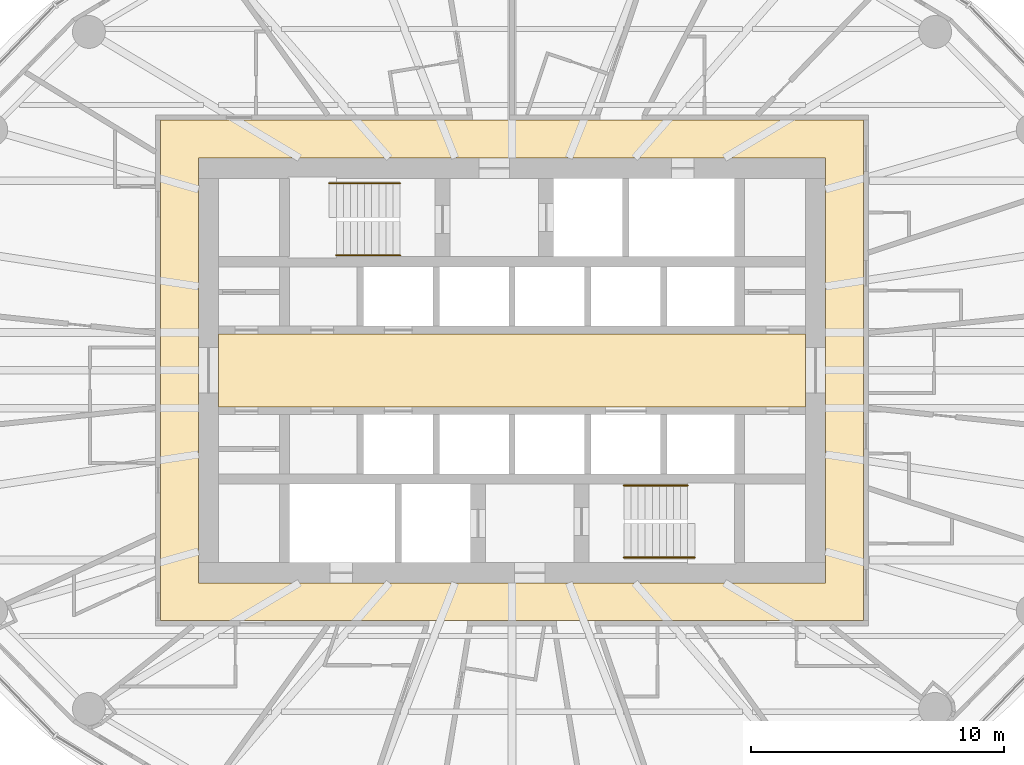
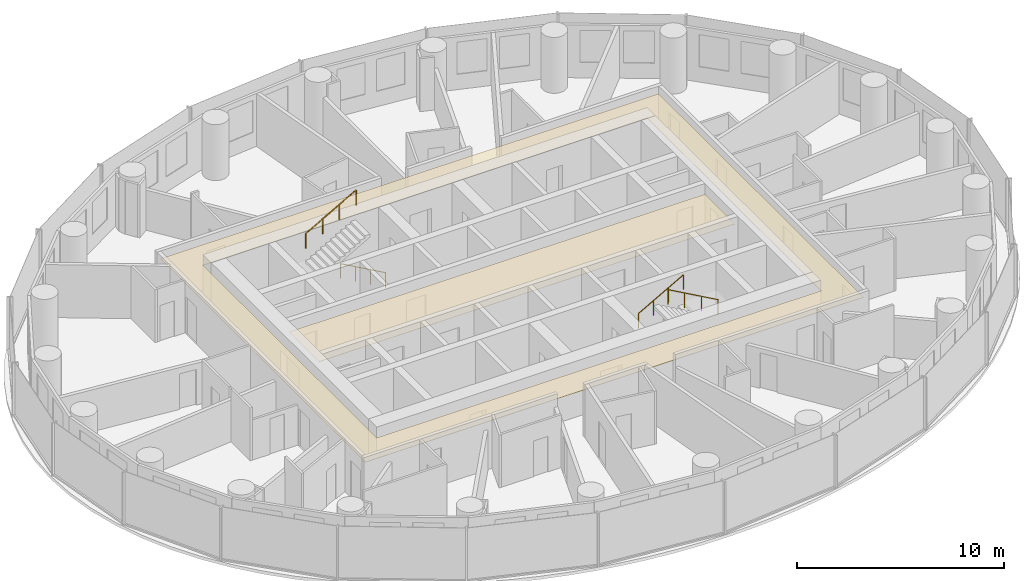
# One storey, part 13 of 13: 4 railings, 2 coverings.
"""IFC4 building model written with IfcOpenShell, lengths in metres."""

import ifcopenshell
import ifcopenshell.guid

model = None  # the IFC model being written
_history = None  # IfcOwnerHistory: only IFC2X3 demands one
_inside = {}  # id of a spatial element -> (the spatial element, [elements in it])
_under = {}  # id of a project, library or spatial element -> (it, [spatial elements below it])
_declared = {}  # id of a project -> (the project, [libraries it declares])
_typed = {}  # id of a type object -> (the type object, [elements of that type])
_made_of = {}  # id of a material, layer set ... -> (it, [elements and type objects made of it])


def new_model(schema):
    """Start an empty IFC model of exactly this schema.

    Asked for "IFC4X3", IfcOpenShell would pick the latest addendum, in which some entities
    have other attributes; the version numbers below select the first issue.
    IFC2X3 requires an IfcOwnerHistory on every rooted entity: one is made here for all.
    """
    global model, _history
    if schema == "IFC4X3":
        model = ifcopenshell.file(schema_version=(4, 3, 0, 0))
    else:
        model = ifcopenshell.file(schema=schema)
    _inside.clear()
    _under.clear()
    _declared.clear()
    _typed.clear()
    _made_of.clear()
    _history = None
    if model.schema == "IFC2X3":
        org = make("IfcOrganization", Name="unknown")
        user = make(
            "IfcPersonAndOrganization",
            ThePerson=make("IfcPerson", FamilyName="unknown"),
            TheOrganization=org,
        )
        app = make(
            "IfcApplication",
            ApplicationDeveloper=org,
            Version="unknown",
            ApplicationFullName="unknown",
            ApplicationIdentifier="unknown",
        )
        _history = make(
            "IfcOwnerHistory",
            OwningUser=user,
            OwningApplication=app,
            ChangeAction="ADDED",
            CreationDate=0,
        )
    return model


def make(cls, **values):
    """One entity of the class cls with the attributes given. An attribute that is None is left unset."""
    return model.create_entity(
        cls, **{name: value for name, value in values.items() if value is not None}
    )


def rooted(cls, **values):
    """An entity with a GlobalId (a new one), such as an element, a storey or a relation."""
    return make(cls, GlobalId=ifcopenshell.guid.new(), OwnerHistory=_history, **values)


def si_unit(unit_type, name, prefix=None):
    """IfcSIUnit, for example si_unit("LENGTHUNIT", "METRE", prefix="MILLI")."""
    return make("IfcSIUnit", UnitType=unit_type, Prefix=prefix, Name=name)


def assignment(units):
    """IfcUnitAssignment: the units of a project."""
    return None if units is None else make("IfcUnitAssignment", Units=units)


def point(xyz):
    """IfcCartesianPoint."""
    return None if xyz is None else make("IfcCartesianPoint", Coordinates=xyz)


def direction(xyz):
    """IfcDirection."""
    return None if xyz is None else make("IfcDirection", DirectionRatios=xyz)


def frame(location, z_axis=None, x_axis=None):
    """IfcAxis2Placement3D, a coordinate frame: its origin and axes. An axis left out is left unset."""
    return make(
        "IfcAxis2Placement3D",
        Location=point(location),
        Axis=direction(z_axis),
        RefDirection=direction(x_axis),
    )


def frame_2d(location, x_axis=None):
    """IfcAxis2Placement2D, a coordinate frame in the plane: its origin and x axis."""
    return make(
        "IfcAxis2Placement2D", Location=point(location), RefDirection=direction(x_axis)
    )


def origin():
    """The frame at (0, 0, 0) with its axes left unset."""
    return frame((0.0, 0.0, 0.0))


def origin_2d():
    """The frame at (0, 0) in the plane with its x axis left unset."""
    return frame_2d((0.0, 0.0))


def place(relative_to, where):
    """IfcLocalPlacement: puts the frame where relative to a parent placement (None: the world)."""
    return make(
        "IfcLocalPlacement", PlacementRelTo=relative_to, RelativePlacement=where
    )


def context(
    kind, dimensions, precision=None, world=None, true_north=None, identifier=None
):
    """IfcGeometricRepresentationContext, for example the 3D "Model" context."""
    return make(
        "IfcGeometricRepresentationContext",
        ContextIdentifier=identifier,
        ContextType=kind,
        CoordinateSpaceDimension=dimensions,
        Precision=precision,
        WorldCoordinateSystem=world,
        TrueNorth=true_north,
    )


def subcontext(parent, identifier, kind, view, scale=None):
    """IfcGeometricRepresentationSubContext, for example "Body" below "Model"."""
    return make(
        "IfcGeometricRepresentationSubContext",
        ContextIdentifier=identifier,
        ContextType=kind,
        ParentContext=parent,
        TargetScale=scale,
        TargetView=view,
    )


def project(units=None, contexts=None):
    """IfcProject with its units and contexts."""
    return rooted(
        "IfcProject",
        Name="project",
        RepresentationContexts=contexts,
        UnitsInContext=assignment(units),
    )


def spatial(cls, under=None, at=None, **own):
    """A site, building, storey or space (cls), placed at a placement, below another one or the project."""
    s = rooted(cls, ObjectPlacement=at, **own)
    if under is not None:
        _under.setdefault(under.id(), (under, []))[1].append(s)
    return s


def polyline(points):
    """IfcPolyline through the points."""
    return make("IfcPolyline", Points=[point(p) for p in points])


def profile(cls, at=None, kind="AREA", **sizes):
    """A parametric profile (cls). Its sizes go by their IFC names, for example OverallWidth=200.0."""
    return make(cls, ProfileType=kind, Position=at, **sizes)


def circle(**sizes):
    """IfcCircleProfileDef."""
    return profile("IfcCircleProfileDef", **sizes)


def outline(outer, holes=None, kind="AREA"):
    """IfcArbitraryClosedProfileDef: a profile drawn as a closed curve; with holes, ...WithVoids."""
    if holes is None:
        return make("IfcArbitraryClosedProfileDef", ProfileType=kind, OuterCurve=outer)
    return make(
        "IfcArbitraryProfileDefWithVoids",
        ProfileType=kind,
        OuterCurve=outer,
        InnerCurves=holes,
    )


def extrude(swept, where, along, depth):
    """IfcExtrudedAreaSolid: the profile swept, set in the frame where, extruded along a direction by depth."""
    return make(
        "IfcExtrudedAreaSolid",
        SweptArea=swept,
        Position=where,
        ExtrudedDirection=direction(along),
        Depth=depth,
    )


def shape(context_of_items, identifier, shape_type, items):
    """IfcShapeRepresentation: the items that make up one representation, for example the "Body"."""
    return make(
        "IfcShapeRepresentation",
        ContextOfItems=context_of_items,
        RepresentationIdentifier=identifier,
        RepresentationType=shape_type,
        Items=items,
    )


def material(Name=None, Category=None):
    """IfcMaterial."""
    return make("IfcMaterial", Name=Name, Category=Category)


def layer(
    of_material, thickness, ventilated=None, Name=None, Category=None, Priority=None
):
    """IfcMaterialLayer: one layer of a wall or slab, of a material (None: an air gap)."""
    return make(
        "IfcMaterialLayer",
        Material=of_material,
        LayerThickness=thickness,
        IsVentilated=ventilated,
        Name=Name,
        Category=Category,
        Priority=Priority,
    )


def layer_set(layers, Name=None):
    """IfcMaterialLayerSet."""
    return make("IfcMaterialLayerSet", MaterialLayers=layers, LayerSetName=Name)


def made_of(thing, what):
    """Note that an element or type object is made of a material, layer set ...; save() writes the relation."""
    if what is not None:
        _made_of.setdefault(what.id(), (what, []))[1].append(thing)
    return thing


def type_object(cls, material=None, **own):
    """A type object (cls), such as IfcWallType, which elements share."""
    return made_of(rooted(cls, **own), material)


def element(
    cls,
    number,
    at=None,
    inside=None,
    cuts=None,
    type_object=None,
    material=None,
    context=None,
    identifier="Body",
    shape_type=None,
    held_by="IfcProductDefinitionShape",
    body=None,
    shapes=None,
    **own,
):
    """One element of the class cls, such as IfcWall. Its Tag is "e" and its number.

    at: its placement. inside: the storey or other place that contains it. cuts: it is an
    opening in that element (IfcRelVoidsElement). A single representation is given by context,
    identifier, shape_type and body (its items); several are given by shapes. held_by: the class
    of the entity that holds the representations. save() writes the other relations.
    """
    e = rooted(cls, Tag="e%d" % number, ObjectPlacement=at, **own)
    if body is not None:
        shapes = [shape(context, identifier, shape_type, body)]
    if shapes is not None:
        e.Representation = make(held_by, Representations=shapes)
    if inside is not None:
        _inside.setdefault(inside.id(), (inside, []))[1].append(e)
    if cuts is not None:
        rooted(
            "IfcRelVoidsElement", RelatingBuildingElement=cuts, RelatedOpeningElement=e
        )
    if type_object is not None:
        _typed.setdefault(type_object.id(), (type_object, []))[1].append(e)
    return made_of(e, material)


def aggregate(whole, parts):
    """IfcRelAggregates: a whole, such as a stair, and the parts it consists of."""
    return rooted("IfcRelAggregates", RelatingObject=whole, RelatedObjects=parts)


def save(model, path):
    """Write the relations noted so far, then the file.

    IfcRelAggregates (storeys below a building ...), IfcRelContainedInSpatialStructure (elements
    in a storey), IfcRelDefinesByType, IfcRelAssociatesMaterial and IfcRelDeclares: one each for
    every whole, place, type object, material and project.
    """
    for whole, parts in _under.values():
        aggregate(whole, parts)
    for where, things in _inside.values():
        rooted(
            "IfcRelContainedInSpatialStructure",
            RelatedElements=things,
            RelatingStructure=where,
        )
    for kind, things in _typed.values():
        rooted("IfcRelDefinesByType", RelatedObjects=things, RelatingType=kind)
    for what, things in _made_of.values():
        rooted("IfcRelAssociatesMaterial", RelatedObjects=things, RelatingMaterial=what)
    for by, libraries in _declared.values():
        rooted("IfcRelDeclares", RelatingContext=by, RelatedDefinitions=libraries)
    model.write(path)


model = new_model("IFC4")

# Units and contexts
model_context = context("Model", 3, precision=1e-05, world=origin(), true_north=direction((0.0, 1.0)))
body_context = subcontext(model_context, "Body", "Model", "MODEL_VIEW")
ifc_project = project(units=[si_unit("LENGTHUNIT", "METRE"), si_unit("AREAUNIT", "SQUARE_METRE"), si_unit("VOLUMEUNIT", "CUBIC_METRE"), si_unit("PLANEANGLEUNIT", "RADIAN"), si_unit("MASSUNIT", "GRAM", prefix="KILO")], contexts=[model_context])

# Site, building, storey
site_placement = place(None, origin())
site = spatial("IfcSite", under=ifc_project, at=site_placement, CompositionType="ELEMENT")
building_placement = place(site_placement, origin())
building = spatial("IfcBuilding", under=site, at=building_placement, Name="Hankou Lantern Tower", CompositionType="ELEMENT")
storey_placement = place(building_placement, frame((0.0, 0.0, 128.699951171875)))
storey = spatial("IfcBuildingStorey", under=building, at=storey_placement, Name="L33", CompositionType="ELEMENT", Elevation=128.699951171875)

# Coverings
ifc_material_1 = material(Name="Black painted aluminium linear ceiling panels", Category="aluminium")
ifc_layer_1 = layer(ifc_material_1, 0.02490234375)
ifc_layer_set_1 = layer_set([ifc_layer_1], Name="Black painted aluminium linear ceiling panels")
covering_type_1 = type_object("IfcCoveringType", Name="CL1 CORRIDOR CEILING 25", PredefinedType="CEILING", material=ifc_layer_set_1)
covering_1_placement = place(storey_placement, frame((0.0, 0.0, 2.64501953125)))
element("IfcCovering", 1, at=covering_1_placement, inside=storey, type_object=covering_type_1, Name="Corridor ceiling L33", PredefinedType="CEILING", context=body_context, shape_type="SweptSolid", body=[
    extrude(outline(polyline([(-13.89990234375, -9.89990234375), (13.89990234375, -9.89990234375), (13.89990234375, 9.89990234375), (-13.89990234375, 9.89990234375), (-13.89990234375, -9.89990234375)]), holes=[polyline([(-12.39990234375, 8.39990234375), (12.39990234375, 8.39990234375), (12.39990234375, -8.39990234375), (-12.39990234375, -8.39990234375), (-12.39990234375, 8.39990234375)])]), origin(), (0.0, 0.0, 1.0), 0.025146484375),
])
ifc_material_2 = material(Name="Perforated black aluminium acoustic tray ceiling", Category="aluminium")
ifc_layer_2 = layer(ifc_material_2, 0.014892578125)
ifc_layer_set_2 = layer_set([ifc_layer_2], Name="Perforated black aluminium acoustic tray ceiling")
covering_type_2 = type_object("IfcCoveringType", Name="CL2 LIFT LOBBY CEILING 15", PredefinedType="CEILING", material=ifc_layer_set_2)
covering_2_placement = place(storey_placement, frame((0.0, 0.0, 2.655029296875)))
element("IfcCovering", 2, at=covering_2_placement, inside=storey, type_object=covering_type_2, Name="Lift lobby ceiling L33", PredefinedType="CEILING", context=body_context, shape_type="SweptSolid", body=[
    extrude(outline(polyline([(-11.60009765625, -1.449951171875), (11.60009765625, -1.449951171875), (11.60009765625, 1.449951171875), (-11.60009765625, 1.449951171875), (-11.60009765625, -1.449951171875)])), origin(), (0.0, 0.0, 1.0), 0.01513671875),
])

# Railings
ifc_material_3 = material(Name="Steel handrail", Category="steel")
railing_type = type_object("IfcRailingType", Name="HR1 STAIR HANDRAIL", PredefinedType="HANDRAIL", material=ifc_material_3)
railing_1_placement = place(storey_placement, frame((-4.429931640625, 4.550048828125, 0.900146484375)))
element("IfcRailing", 3, at=railing_1_placement, inside=storey, type_object=railing_type, Name="Handrail stair STA L33 flight 1", PredefinedType="HANDRAIL", context=body_context, shape_type="SweptSolid", body=[
    extrude(circle(Radius=0.02392578125, at=origin_2d()), frame((0.0, 0.0, 0.8759765625), z_axis=(-0.872048945198, 0.0, 0.489418672692), x_axis=(0.0, -1.0, 0.0)), (0.0, 0.0, 1.0), 2.8896484375),
    extrude(circle(Radius=0.02099609375, at=origin_2d()), origin(), (0.0, 0.0, 1.0), 0.851806640625),
    extrude(circle(Radius=0.02099609375, at=origin_2d()), frame((-0.840087890625, 0.0, 0.471435546875)), (0.0, 0.0, 1.0), 0.851806640625),
    extrude(circle(Radius=0.02099609375, at=origin_2d()), frame((-1.679931640625, 0.0, 0.94287109375)), (0.0, 0.0, 1.0), 0.851806640625),
    extrude(circle(Radius=0.02099609375, at=origin_2d()), frame((-2.52001953125, 0.0, 1.414306640625)), (0.0, 0.0, 1.0), 0.851806640625),
])
railing_2_placement = place(storey_placement, frame((-7.22998046875, 7.39990234375, 2.471435546875)))
element("IfcRailing", 4, at=railing_2_placement, inside=storey, type_object=railing_type, Name="Handrail stair STA L33 flight 2", PredefinedType="HANDRAIL", context=body_context, shape_type="SweptSolid", body=[
    extrude(circle(Radius=0.02392578125, at=origin_2d()), frame((0.0, 0.0, 0.8759765625), z_axis=(0.872040151574, 0.0, 0.489434340891), x_axis=(0.0, 1.0, 0.0)), (0.0, 0.0, 1.0), 3.2109375),
    extrude(circle(Radius=0.02099609375, at=origin_2d()), origin(), (0.0, 0.0, 1.0), 0.851806640625),
    extrude(circle(Radius=0.02099609375, at=origin_2d()), frame((0.933349609375, 0.0, 0.52392578125)), (0.0, 0.0, 1.0), 0.851806640625),
    extrude(circle(Radius=0.02099609375, at=origin_2d()), frame((1.86669921875, 0.0, 1.047607421875)), (0.0, 0.0, 1.0), 0.851806640625),
    extrude(circle(Radius=0.02099609375, at=origin_2d()), frame((2.800048828125, 0.0, 1.571533203125)), (0.0, 0.0, 1.0), 0.851806640625),
])
railing_3_placement = place(storey_placement, frame((4.429931640625, -4.550048828125, 0.900146484375)))
element("IfcRailing", 5, at=railing_3_placement, inside=storey, type_object=railing_type, Name="Handrail stair STB L33 flight 1", PredefinedType="HANDRAIL", context=body_context, shape_type="SweptSolid", body=[
    extrude(circle(Radius=0.02392578125, at=origin_2d()), frame((0.0, 0.0, 0.8759765625), z_axis=(0.872048945198, 0.0, 0.489418672692), x_axis=(0.0, 1.0, 0.0)), (0.0, 0.0, 1.0), 2.8896484375),
    extrude(circle(Radius=0.02099609375, at=origin_2d()), origin(), (0.0, 0.0, 1.0), 0.851806640625),
    extrude(circle(Radius=0.02099609375, at=origin_2d()), frame((0.840087890625, 0.0, 0.471435546875)), (0.0, 0.0, 1.0), 0.851806640625),
    extrude(circle(Radius=0.02099609375, at=origin_2d()), frame((1.679931640625, 0.0, 0.94287109375)), (0.0, 0.0, 1.0), 0.851806640625),
    extrude(circle(Radius=0.02099609375, at=origin_2d()), frame((2.52001953125, 0.0, 1.414306640625)), (0.0, 0.0, 1.0), 0.851806640625),
])
railing_4_placement = place(storey_placement, frame((7.22998046875, -7.39990234375, 2.471435546875)))
element("IfcRailing", 6, at=railing_4_placement, inside=storey, type_object=railing_type, Name="Handrail stair STB L33 flight 2", PredefinedType="HANDRAIL", context=body_context, shape_type="SweptSolid", body=[
    extrude(circle(Radius=0.02392578125, at=origin_2d()), frame((0.0, 0.0, 0.8759765625), z_axis=(-0.872040151574, 0.0, 0.489434340891), x_axis=(0.0, -1.0, 0.0)), (0.0, 0.0, 1.0), 3.2109375),
    extrude(circle(Radius=0.02099609375, at=origin_2d()), origin(), (0.0, 0.0, 1.0), 0.851806640625),
    extrude(circle(Radius=0.02099609375, at=origin_2d()), frame((-0.933349609375, 0.0, 0.52392578125)), (0.0, 0.0, 1.0), 0.851806640625),
    extrude(circle(Radius=0.02099609375, at=origin_2d()), frame((-1.86669921875, 0.0, 1.047607421875)), (0.0, 0.0, 1.0), 0.851806640625),
    extrude(circle(Radius=0.02099609375, at=origin_2d()), frame((-2.800048828125, 0.0, 1.571533203125)), (0.0, 0.0, 1.0), 0.851806640625),
])

save(model, "model.ifc")
